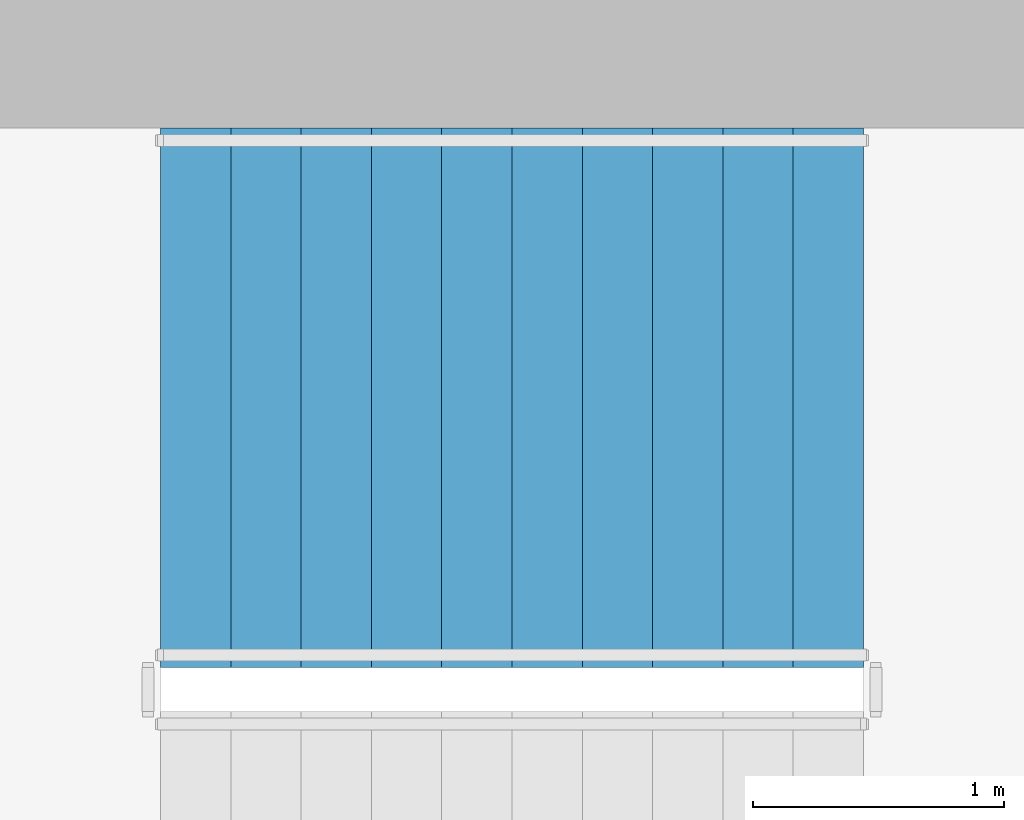
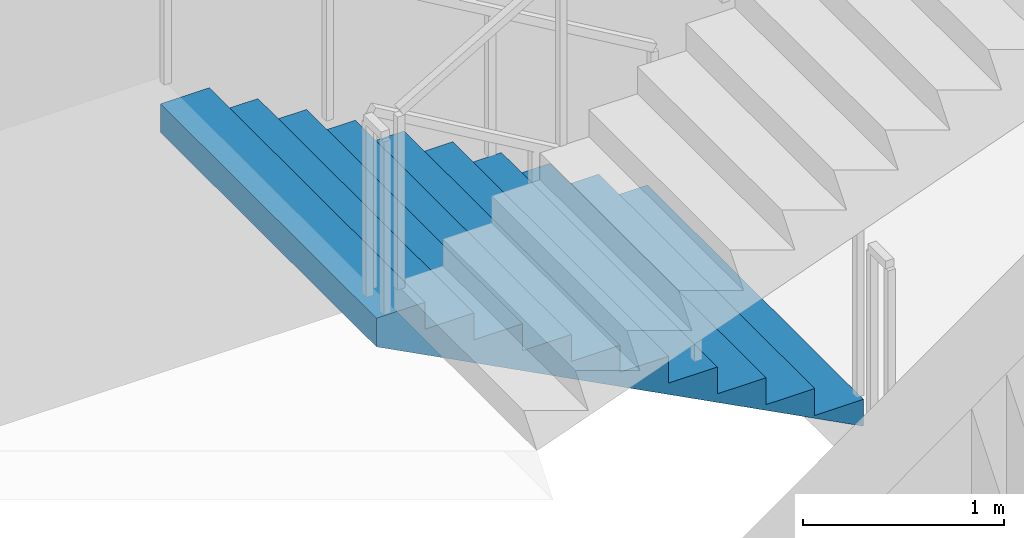
# One storey, part 12 of 20: 1 stair flight, 1 element without a shape of its own.
"""IFC4 building model written with IfcOpenShell, lengths in metres."""

import ifcopenshell
import ifcopenshell.guid

model = None  # the IFC model being written
_history = None  # IfcOwnerHistory: only IFC2X3 demands one
_inside = {}  # id of a spatial element -> (the spatial element, [elements in it])
_under = {}  # id of a project, library or spatial element -> (it, [spatial elements below it])
_declared = {}  # id of a project -> (the project, [libraries it declares])
_typed = {}  # id of a type object -> (the type object, [elements of that type])
_made_of = {}  # id of a material, layer set ... -> (it, [elements and type objects made of it])


def new_model(schema):
    """Start an empty IFC model of exactly this schema.

    Asked for "IFC4X3", IfcOpenShell would pick the latest addendum, in which some entities
    have other attributes; the version numbers below select the first issue.
    IFC2X3 requires an IfcOwnerHistory on every rooted entity: one is made here for all.
    """
    global model, _history
    if schema == "IFC4X3":
        model = ifcopenshell.file(schema_version=(4, 3, 0, 0))
    else:
        model = ifcopenshell.file(schema=schema)
    _inside.clear()
    _under.clear()
    _declared.clear()
    _typed.clear()
    _made_of.clear()
    _history = None
    if model.schema == "IFC2X3":
        org = make("IfcOrganization", Name="unknown")
        user = make(
            "IfcPersonAndOrganization",
            ThePerson=make("IfcPerson", FamilyName="unknown"),
            TheOrganization=org,
        )
        app = make(
            "IfcApplication",
            ApplicationDeveloper=org,
            Version="unknown",
            ApplicationFullName="unknown",
            ApplicationIdentifier="unknown",
        )
        _history = make(
            "IfcOwnerHistory",
            OwningUser=user,
            OwningApplication=app,
            ChangeAction="ADDED",
            CreationDate=0,
        )
    return model


def make(cls, **values):
    """One entity of the class cls with the attributes given. An attribute that is None is left unset."""
    return model.create_entity(
        cls, **{name: value for name, value in values.items() if value is not None}
    )


def rooted(cls, **values):
    """An entity with a GlobalId (a new one), such as an element, a storey or a relation."""
    return make(cls, GlobalId=ifcopenshell.guid.new(), OwnerHistory=_history, **values)


def si_unit(unit_type, name, prefix=None):
    """IfcSIUnit, for example si_unit("LENGTHUNIT", "METRE", prefix="MILLI")."""
    return make("IfcSIUnit", UnitType=unit_type, Prefix=prefix, Name=name)


def assignment(units):
    """IfcUnitAssignment: the units of a project."""
    return None if units is None else make("IfcUnitAssignment", Units=units)


def point(xyz):
    """IfcCartesianPoint."""
    return None if xyz is None else make("IfcCartesianPoint", Coordinates=xyz)


def direction(xyz):
    """IfcDirection."""
    return None if xyz is None else make("IfcDirection", DirectionRatios=xyz)


def frame(location, z_axis=None, x_axis=None):
    """IfcAxis2Placement3D, a coordinate frame: its origin and axes. An axis left out is left unset."""
    return make(
        "IfcAxis2Placement3D",
        Location=point(location),
        Axis=direction(z_axis),
        RefDirection=direction(x_axis),
    )


def origin():
    """The frame at (0, 0, 0) with its axes left unset."""
    return frame((0.0, 0.0, 0.0))


def place(relative_to, where):
    """IfcLocalPlacement: puts the frame where relative to a parent placement (None: the world)."""
    return make(
        "IfcLocalPlacement", PlacementRelTo=relative_to, RelativePlacement=where
    )


def context(
    kind, dimensions, precision=None, world=None, true_north=None, identifier=None
):
    """IfcGeometricRepresentationContext, for example the 3D "Model" context."""
    return make(
        "IfcGeometricRepresentationContext",
        ContextIdentifier=identifier,
        ContextType=kind,
        CoordinateSpaceDimension=dimensions,
        Precision=precision,
        WorldCoordinateSystem=world,
        TrueNorth=true_north,
    )


def subcontext(parent, identifier, kind, view, scale=None):
    """IfcGeometricRepresentationSubContext, for example "Body" below "Model"."""
    return make(
        "IfcGeometricRepresentationSubContext",
        ContextIdentifier=identifier,
        ContextType=kind,
        ParentContext=parent,
        TargetScale=scale,
        TargetView=view,
    )


def project(units=None, contexts=None):
    """IfcProject with its units and contexts."""
    return rooted(
        "IfcProject",
        Name="project",
        RepresentationContexts=contexts,
        UnitsInContext=assignment(units),
    )


def spatial(cls, under=None, at=None, **own):
    """A site, building, storey or space (cls), placed at a placement, below another one or the project."""
    s = rooted(cls, ObjectPlacement=at, **own)
    if under is not None:
        _under.setdefault(under.id(), (under, []))[1].append(s)
    return s


def point_list(points):
    """IfcCartesianPointList2D or 3D."""
    cls = (
        "IfcCartesianPointList2D" if len(points[0]) == 2 else "IfcCartesianPointList3D"
    )
    return make(cls, CoordList=points)


def triangles(points, corners, closed=None, point_numbers=None):
    """IfcTriangulatedFaceSet: each triangle names its three corners, points numbered from 1."""
    return make(
        "IfcTriangulatedFaceSet",
        Coordinates=point_list(points),
        Closed=closed,
        CoordIndex=corners,
        PnIndex=point_numbers,
    )


def shape(context_of_items, identifier, shape_type, items):
    """IfcShapeRepresentation: the items that make up one representation, for example the "Body"."""
    return make(
        "IfcShapeRepresentation",
        ContextOfItems=context_of_items,
        RepresentationIdentifier=identifier,
        RepresentationType=shape_type,
        Items=items,
    )


def material(Name=None, Category=None):
    """IfcMaterial."""
    return make("IfcMaterial", Name=Name, Category=Category)


def made_of(thing, what):
    """Note that an element or type object is made of a material, layer set ...; save() writes the relation."""
    if what is not None:
        _made_of.setdefault(what.id(), (what, []))[1].append(thing)
    return thing


def type_object(cls, material=None, **own):
    """A type object (cls), such as IfcWallType, which elements share."""
    return made_of(rooted(cls, **own), material)


def element(
    cls,
    number,
    at=None,
    inside=None,
    cuts=None,
    type_object=None,
    material=None,
    context=None,
    identifier="Body",
    shape_type=None,
    held_by="IfcProductDefinitionShape",
    body=None,
    shapes=None,
    **own,
):
    """One element of the class cls, such as IfcWall. Its Tag is "e" and its number.

    at: its placement. inside: the storey or other place that contains it. cuts: it is an
    opening in that element (IfcRelVoidsElement). A single representation is given by context,
    identifier, shape_type and body (its items); several are given by shapes. held_by: the class
    of the entity that holds the representations. save() writes the other relations.
    """
    e = rooted(cls, Tag="e%d" % number, ObjectPlacement=at, **own)
    if body is not None:
        shapes = [shape(context, identifier, shape_type, body)]
    if shapes is not None:
        e.Representation = make(held_by, Representations=shapes)
    if inside is not None:
        _inside.setdefault(inside.id(), (inside, []))[1].append(e)
    if cuts is not None:
        rooted(
            "IfcRelVoidsElement", RelatingBuildingElement=cuts, RelatedOpeningElement=e
        )
    if type_object is not None:
        _typed.setdefault(type_object.id(), (type_object, []))[1].append(e)
    return made_of(e, material)


def aggregate(whole, parts):
    """IfcRelAggregates: a whole, such as a stair, and the parts it consists of."""
    return rooted("IfcRelAggregates", RelatingObject=whole, RelatedObjects=parts)


def save(model, path):
    """Write the relations noted so far, then the file.

    IfcRelAggregates (storeys below a building ...), IfcRelContainedInSpatialStructure (elements
    in a storey), IfcRelDefinesByType, IfcRelAssociatesMaterial and IfcRelDeclares: one each for
    every whole, place, type object, material and project.
    """
    for whole, parts in _under.values():
        aggregate(whole, parts)
    for where, things in _inside.values():
        rooted(
            "IfcRelContainedInSpatialStructure",
            RelatedElements=things,
            RelatingStructure=where,
        )
    for kind, things in _typed.values():
        rooted("IfcRelDefinesByType", RelatedObjects=things, RelatingType=kind)
    for what, things in _made_of.values():
        rooted("IfcRelAssociatesMaterial", RelatedObjects=things, RelatingMaterial=what)
    for by, libraries in _declared.values():
        rooted("IfcRelDeclares", RelatingContext=by, RelatedDefinitions=libraries)
    model.write(path)


model = new_model("IFC4")

# Units and contexts
model_context = context("Model", 3, precision=1e-05, world=origin(), true_north=direction((0.0, 1.0)))
body_context = subcontext(model_context, "Body", "Model", "MODEL_VIEW")
ifc_project = project(units=[si_unit("LENGTHUNIT", "METRE"), si_unit("AREAUNIT", "SQUARE_METRE"), si_unit("VOLUMEUNIT", "CUBIC_METRE"), si_unit("PLANEANGLEUNIT", "RADIAN"), si_unit("MASSUNIT", "GRAM", prefix="KILO")], contexts=[model_context])

# Site, building, storey
site_placement = place(None, origin())
site = spatial("IfcSite", under=ifc_project, at=site_placement, CompositionType="ELEMENT")
building_placement = place(site_placement, origin())
building = spatial("IfcBuilding", under=site, at=building_placement, Name="Cypress Arch Tower", CompositionType="ELEMENT")
storey_placement = place(building_placement, frame((0.0, 0.0, 77.10009765625)))
storey = spatial("IfcBuildingStorey", under=building, at=storey_placement, Name="L13", CompositionType="ELEMENT", Elevation=77.10009765625)

# Stair, stair flight
ifc_material_1 = material(Name="Concrete C40/50", Category="concrete")
stair_type = type_object("IfcStairType", Name="Exit stair ES1636-215", PredefinedType="HALF_TURN_STAIR", material=ifc_material_1)
stair_placement = place(storey_placement, origin())
stair = element("IfcStair", 1, at=stair_placement, inside=storey, type_object=stair_type, Name="L13 Exit stair B", PredefinedType="HALF_TURN_STAIR")
ifc_material_2 = material(Name="Concrete C40/50", Category="concrete")
stair_flight_type = type_object("IfcStairFlightType", Name="Exit stair flight ES1636-215", PredefinedType="STRAIGHT", material=ifc_material_2)
stair_flight_placement = place(storey_placement, frame((-22.27490234375, 13.72509765625, 0.0), z_axis=(0.0, 0.0, 1.0), x_axis=(-1.0, 0.0, 0.0)))
stair_flight = element("IfcStairFlight", 2, at=stair_flight_placement, type_object=stair_flight_type, Name="B flight 1", NumberOfRisers=11, NumberOfTreads=10, PredefinedType="STRAIGHT", RiserHeight=0.163636364, TreadLength=0.28, context=body_context, shape_type="Tessellation", body=[
    triangles([(0.0, -1.074951171875, 0.0), (0.000244140625, -1.074951171875, 0.03271484375), (0.00048828125, -1.074951171875, 0.0654296875), (0.00048828125, -1.074951171875, 0.09814453125), (0.000244140625, -1.074951171875, 0.130859375), (0.0, -1.074951171875, 0.16357421875), (0.280029296875, -1.074951171875, 0.16357421875), (0.280029296875, -1.074951171875, 0.327392578125), (0.56005859375, -1.074951171875, 0.327392578125), (0.56005859375, -1.074951171875, 0.490966796875), (0.840087890625, -1.074951171875, 0.490966796875), (0.840087890625, -1.074951171875, 0.654541015625), (1.1201171875, -1.074951171875, 0.654541015625), (1.1201171875, -1.074951171875, 0.818115234375), (1.39990234375, -1.074951171875, 0.818115234375), (1.39990234375, -1.074951171875, 0.98193359375), (1.679931640625, -1.074951171875, 0.98193359375), (1.679931640625, -1.074951171875, 1.1455078125), (1.9599609375, -1.074951171875, 1.1455078125), (1.9599609375, -1.074951171875, 1.30908203125), (2.239990234375, -1.074951171875, 1.30908203125), (2.239990234375, -1.074951171875, 1.47265625), (2.52001953125, -1.074951171875, 1.47265625), (2.52001953125, -1.074951171875, 1.636474609375), (2.800048828125, -1.074951171875, 1.636474609375), (2.7998046875, -1.074951171875, 1.601806640625), (2.799560546875, -1.074951171875, 1.56689453125), (2.799560546875, -1.074951171875, 1.5322265625), (2.7998046875, -1.074951171875, 1.497314453125), (2.800048828125, -1.074951171875, 1.462646484375), (2.800048828125, 1.074951171875, 1.462646484375), (2.7998046875, 1.074951171875, 1.497314453125), (2.799560546875, 1.074951171875, 1.5322265625), (2.799560546875, 1.074951171875, 1.56689453125), (2.7998046875, 1.074951171875, 1.601806640625), (2.800048828125, 1.074951171875, 1.636474609375), (2.52001953125, 1.074951171875, 1.636474609375), (2.52001953125, 1.074951171875, 1.47265625), (2.239990234375, 1.074951171875, 1.47265625), (2.239990234375, 1.074951171875, 1.30908203125), (1.9599609375, 1.074951171875, 1.30908203125), (1.9599609375, 1.074951171875, 1.1455078125), (1.679931640625, 1.074951171875, 1.1455078125), (1.679931640625, 1.074951171875, 0.98193359375), (1.39990234375, 1.074951171875, 0.98193359375), (1.39990234375, 1.074951171875, 0.818115234375), (1.1201171875, 1.074951171875, 0.818115234375), (1.1201171875, 1.074951171875, 0.654541015625), (0.840087890625, 1.074951171875, 0.654541015625), (0.840087890625, 1.074951171875, 0.490966796875), (0.56005859375, 1.074951171875, 0.490966796875), (0.56005859375, 1.074951171875, 0.327392578125), (0.280029296875, 1.074951171875, 0.327392578125), (0.280029296875, 1.074951171875, 0.16357421875), (0.0, 1.074951171875, 0.16357421875), (0.000244140625, 1.074951171875, 0.130859375), (0.00048828125, 1.074951171875, 0.09814453125), (0.00048828125, 1.074951171875, 0.0654296875), (0.000244140625, 1.074951171875, 0.03271484375), (0.0, 1.074951171875, 0.0), (2.7998046875, 0.0, 1.497314453125), (2.800048828125, 0.0, 1.462646484375), (2.799560546875, 0.0, 1.5322265625), (2.799560546875, 0.0, 1.56689453125), (2.7998046875, 0.0, 1.601806640625), (2.800048828125, 0.0, 1.636474609375), (2.52001953125, 0.0, 1.636474609375), (2.52001953125, 0.0, 1.47265625), (2.239990234375, 0.0, 1.47265625), (2.239990234375, 0.0, 1.30908203125), (1.9599609375, 0.0, 1.30908203125), (1.9599609375, 0.0, 1.1455078125), (1.679931640625, 0.0, 1.1455078125), (1.679931640625, 0.0, 0.98193359375), (1.39990234375, 0.0, 0.98193359375), (1.39990234375, 0.0, 0.818115234375), (1.1201171875, 0.0, 0.818115234375), (1.1201171875, 0.0, 0.654541015625), (0.840087890625, 0.0, 0.654541015625), (0.840087890625, 0.0, 0.490966796875), (0.56005859375, 0.0, 0.490966796875), (0.56005859375, 0.0, 0.327392578125), (0.280029296875, 0.0, 0.327392578125), (0.280029296875, 0.0, 0.16357421875), (0.0, 0.0, 0.16357421875), (0.000244140625, 0.0, 0.130859375), (0.00048828125, 0.0, 0.09814453125), (0.00048828125, 0.0, 0.0654296875), (0.000244140625, 0.0, 0.03271484375), (0.0, 0.0, 0.0)], [[30, 29, 24], [29, 28, 24], [28, 27, 24], [27, 26, 24], [26, 25, 24], [17, 16, 15], [9, 8, 7], [15, 14, 13], [23, 22, 21], [21, 20, 19], [19, 18, 17], [13, 12, 11], [11, 10, 9], [6, 5, 7], [5, 4, 7], [4, 3, 7], [3, 2, 7], [2, 1, 7], [30, 24, 23], [30, 23, 21], [30, 21, 19], [30, 19, 17], [30, 17, 15], [30, 15, 13], [30, 13, 11], [30, 11, 9], [30, 9, 7], [30, 7, 1], [31, 37, 32], [32, 37, 33], [33, 37, 34], [34, 37, 35], [35, 37, 36], [44, 46, 45], [52, 54, 53], [46, 48, 47], [38, 40, 39], [40, 42, 41], [42, 44, 43], [48, 50, 49], [50, 52, 51], [55, 54, 56], [56, 54, 57], [57, 54, 58], [58, 54, 59], [59, 54, 60], [31, 38, 37], [31, 40, 38], [31, 42, 40], [31, 44, 42], [31, 46, 44], [31, 48, 46], [31, 50, 48], [31, 52, 50], [31, 54, 52], [31, 60, 54], [62, 61, 29], [62, 29, 30], [31, 32, 61], [31, 61, 62], [61, 63, 28], [61, 28, 29], [32, 33, 63], [32, 63, 61], [63, 64, 27], [63, 27, 28], [33, 34, 64], [33, 64, 63], [64, 65, 26], [64, 26, 27], [34, 35, 65], [34, 65, 64], [65, 66, 25], [65, 25, 26], [35, 36, 66], [35, 66, 65], [66, 67, 24], [66, 24, 25], [36, 37, 67], [36, 67, 66], [67, 68, 23], [67, 23, 24], [37, 38, 68], [37, 68, 67], [68, 69, 22], [68, 22, 23], [38, 39, 69], [38, 69, 68], [69, 70, 21], [69, 21, 22], [39, 40, 70], [39, 70, 69], [70, 71, 20], [70, 20, 21], [40, 41, 71], [40, 71, 70], [71, 72, 19], [71, 19, 20], [41, 42, 72], [41, 72, 71], [72, 73, 18], [72, 18, 19], [42, 43, 73], [42, 73, 72], [73, 74, 17], [73, 17, 18], [43, 44, 74], [43, 74, 73], [74, 75, 16], [74, 16, 17], [44, 45, 75], [44, 75, 74], [75, 76, 15], [75, 15, 16], [45, 46, 76], [45, 76, 75], [76, 77, 14], [76, 14, 15], [46, 47, 77], [46, 77, 76], [77, 78, 13], [77, 13, 14], [47, 48, 78], [47, 78, 77], [78, 79, 12], [78, 12, 13], [48, 49, 79], [48, 79, 78], [79, 80, 11], [79, 11, 12], [49, 50, 80], [49, 80, 79], [80, 81, 10], [80, 10, 11], [50, 51, 81], [50, 81, 80], [81, 82, 9], [81, 9, 10], [51, 52, 82], [51, 82, 81], [82, 83, 8], [82, 8, 9], [52, 53, 83], [52, 83, 82], [83, 84, 7], [83, 7, 8], [53, 54, 84], [53, 84, 83], [84, 85, 6], [84, 6, 7], [54, 55, 85], [54, 85, 84], [85, 86, 5], [85, 5, 6], [55, 56, 86], [55, 86, 85], [86, 87, 4], [86, 4, 5], [56, 57, 87], [56, 87, 86], [87, 88, 3], [87, 3, 4], [57, 58, 88], [57, 88, 87], [88, 89, 2], [88, 2, 3], [58, 59, 89], [58, 89, 88], [89, 90, 1], [89, 1, 2], [59, 60, 90], [59, 90, 89], [90, 62, 30], [90, 30, 1], [60, 31, 62], [60, 62, 90]], closed=True),
])
aggregate(stair, [stair_flight])

save(model, "model.ifc")
